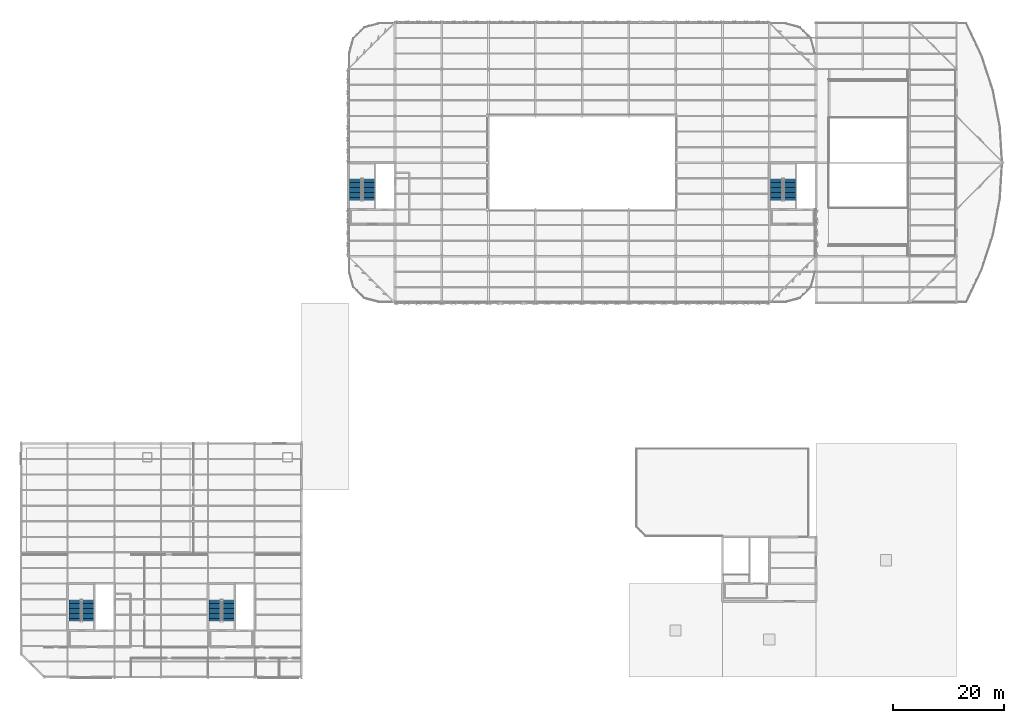
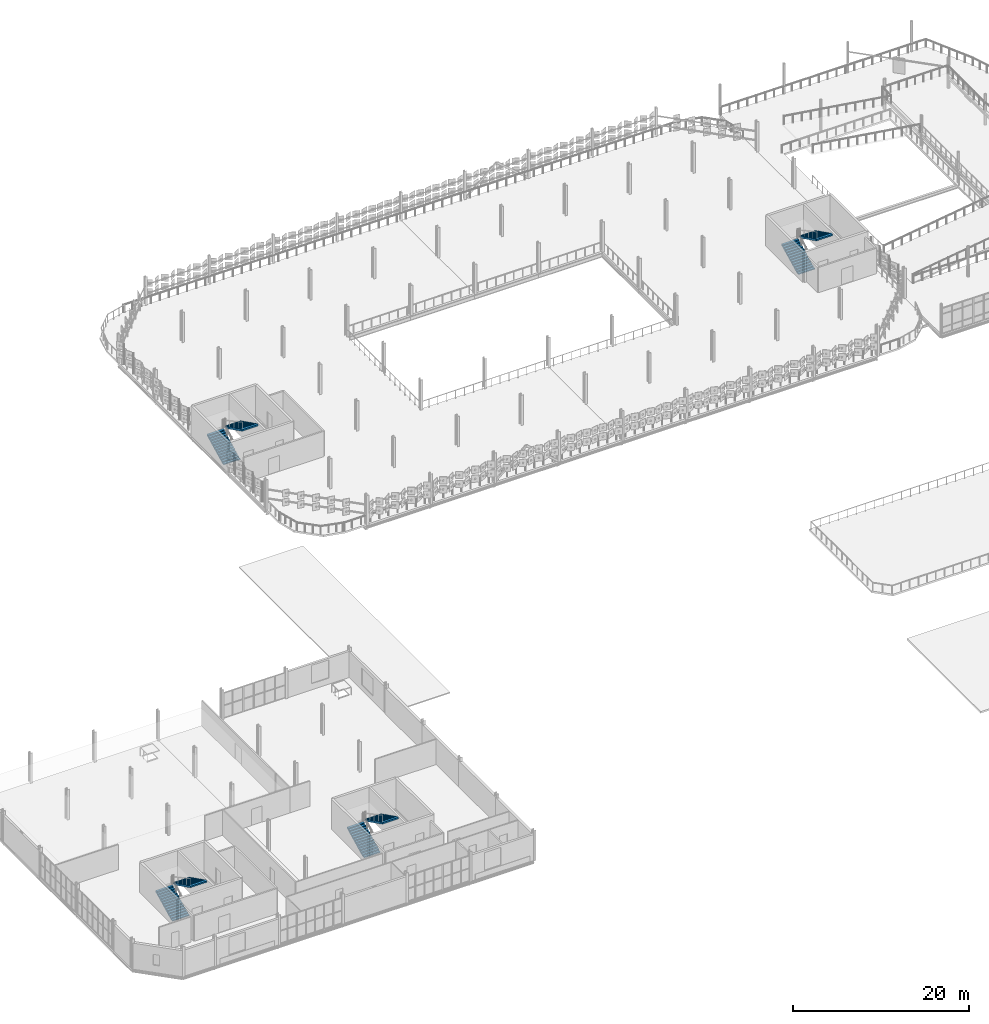
# One storey, part 51 of 69: 8 stair flights, 4 elements without a shape of their own.
"""IFC4 building model written with IfcOpenShell, lengths in metres."""

from ifc_helpers import new_model, si_unit, direction, frame, origin, place, context, subcontext, project, spatial, polyline, outline, extrude, material, type_object, element, aggregate, save


model = new_model("IFC4")

# Units and contexts
model_context = context("Model", 3, precision=1e-05, world=origin(), true_north=direction((0.0, 1.0)))
body_context = subcontext(model_context, "Body", "Model", "MODEL_VIEW")
ifc_project = project(units=[si_unit("LENGTHUNIT", "METRE"), si_unit("AREAUNIT", "SQUARE_METRE"), si_unit("VOLUMEUNIT", "CUBIC_METRE"), si_unit("PLANEANGLEUNIT", "RADIAN"), si_unit("MASSUNIT", "GRAM", prefix="KILO")], contexts=[model_context])

# Site, building, storey
site_placement = place(None, origin())
site = spatial("IfcSite", under=ifc_project, at=site_placement, CompositionType="ELEMENT")
building_placement = place(site_placement, origin())
building = spatial("IfcBuilding", under=site, at=building_placement, Name="Qalvenar Corner Mobility Hub", CompositionType="ELEMENT")
storey_placement = place(building_placement, frame((0.0, 0.0, 13.199951171875)))
storey = spatial("IfcBuildingStorey", under=building, at=storey_placement, Name="L03", CompositionType="ELEMENT", Elevation=13.199951171875)

# Stair, stair flights
ifc_material = material(Name="Concrete C35/45", Category="concrete")
stair_type_1 = type_object("IfcStairType", Name="STR-200-H42", PredefinedType="HALF_TURN_STAIR", material=ifc_material)
stair_1_placement = place(storey_placement, origin())
stair_1 = element("IfcStair", 1, at=stair_1_placement, inside=storey, type_object=stair_type_1, Name="Exit Stair ST2 L03-L04", PredefinedType="HALF_TURN_STAIR")
stair_flight_type_1 = type_object("IfcStairFlightType", Name="SFL-200-R14", PredefinedType="STRAIGHT", material=ifc_material)
stair_flight_1_placement = place(storey_placement, frame((34.89501953125, 9.949951171875, 0.0), z_axis=(0.0, 0.0, 1.0), x_axis=(0.0, 1.0, 0.0)))
stair_flight_1 = element("IfcStairFlight", 2, at=stair_flight_1_placement, type_object=stair_flight_type_1, Name="ST2 flight 1", NumberOfRisers=14, NumberOfTreads=13, PredefinedType="STRAIGHT", RiserHeight=0.15, TreadLength=0.3, context=body_context, shape_type="SweptSolid", body=[
    extrude(outline(polyline([(0.0, 0.0), (0.0, 0.14990234375), (0.300048828125, 0.14990234375), (0.300048828125, 0.300048828125), (0.60009765625, 0.300048828125), (0.60009765625, 0.449951171875), (0.89990234375, 0.449951171875), (0.89990234375, 0.60009765625), (1.199951171875, 0.60009765625), (1.199951171875, 0.75), (1.5, 0.75), (1.5, 0.89990234375), (1.800048828125, 0.89990234375), (1.800048828125, 1.050048828125), (2.10009765625, 1.050048828125), (2.10009765625, 1.199951171875), (2.39990234375, 1.199951171875), (2.39990234375, 1.35009765625), (2.699951171875, 1.35009765625), (2.699951171875, 1.5), (3.0, 1.5), (3.0, 1.64990234375), (3.300048828125, 1.64990234375), (3.300048828125, 1.800048828125), (3.60009765625, 1.800048828125), (3.60009765625, 1.949951171875), (3.89990234375, 1.949951171875), (3.89990234375, 2.10009765625), (3.89990234375, 1.748779296875), (0.40234375, 0.0), (0.0, 0.0)])), frame((0.0, 1.074951171875, 0.0), z_axis=(0.0, -1.0, 0.0), x_axis=(1.0, 0.0, 0.0)), (0.0, 0.0, 1.0), 2.14990234375),
])
stair_flight_2_placement = place(storey_placement, frame((37.284912109375, 13.85009765625, 2.10009765625), z_axis=(0.0, 0.0, 1.0), x_axis=(0.0, -1.0, 0.0)))
stair_flight_2 = element("IfcStairFlight", 3, at=stair_flight_2_placement, type_object=stair_flight_type_1, Name="ST2 flight 2", NumberOfRisers=14, NumberOfTreads=13, PredefinedType="STRAIGHT", RiserHeight=0.15, TreadLength=0.3, context=body_context, shape_type="SweptSolid", body=[
    extrude(outline(polyline([(0.0, 0.0), (0.0, 0.14990234375), (0.300048828125, 0.14990234375), (0.300048828125, 0.300048828125), (0.60009765625, 0.300048828125), (0.60009765625, 0.449951171875), (0.89990234375, 0.449951171875), (0.89990234375, 0.60009765625), (1.199951171875, 0.60009765625), (1.199951171875, 0.75), (1.5, 0.75), (1.5, 0.89990234375), (1.800048828125, 0.89990234375), (1.800048828125, 1.050048828125), (2.10009765625, 1.050048828125), (2.10009765625, 1.199951171875), (2.39990234375, 1.199951171875), (2.39990234375, 1.35009765625), (2.699951171875, 1.35009765625), (2.699951171875, 1.5), (3.0, 1.5), (3.0, 1.64990234375), (3.300048828125, 1.64990234375), (3.300048828125, 1.800048828125), (3.60009765625, 1.800048828125), (3.60009765625, 1.949951171875), (3.89990234375, 1.949951171875), (3.89990234375, 2.10009765625), (3.89990234375, 1.748779296875), (0.40234375, 0.0), (0.0, 0.0)])), frame((0.0, 1.074951171875, 0.0), z_axis=(0.0, -1.0, 0.0), x_axis=(1.0, 0.0, 0.0)), (0.0, 0.0, 1.0), 2.14990234375),
])
aggregate(stair_1, [stair_flight_1, stair_flight_2])

stair_2_placement = place(storey_placement, origin())
stair_2 = element("IfcStair", 4, at=stair_2_placement, inside=storey, type_object=stair_type_1, Name="Exit Stair ST3 L03-L04", PredefinedType="HALF_TURN_STAIR")
stair_flight_3_placement = place(storey_placement, frame((60.094970703125, 85.550048828125, 0.0), z_axis=(0.0, 0.0, 1.0), x_axis=(0.0, 1.0, 0.0)))
stair_flight_3 = element("IfcStairFlight", 5, at=stair_flight_3_placement, type_object=stair_flight_type_1, Name="ST3 flight 1", NumberOfRisers=14, NumberOfTreads=13, PredefinedType="STRAIGHT", RiserHeight=0.15, TreadLength=0.3, context=body_context, shape_type="SweptSolid", body=[
    extrude(outline(polyline([(0.0, 0.0), (0.0, 0.14990234375), (0.300048828125, 0.14990234375), (0.300048828125, 0.300048828125), (0.60009765625, 0.300048828125), (0.60009765625, 0.449951171875), (0.89990234375, 0.449951171875), (0.89990234375, 0.60009765625), (1.199951171875, 0.60009765625), (1.199951171875, 0.75), (1.5, 0.75), (1.5, 0.89990234375), (1.800048828125, 0.89990234375), (1.800048828125, 1.050048828125), (2.10009765625, 1.050048828125), (2.10009765625, 1.199951171875), (2.39990234375, 1.199951171875), (2.39990234375, 1.35009765625), (2.699951171875, 1.35009765625), (2.699951171875, 1.5), (3.0, 1.5), (3.0, 1.64990234375), (3.300048828125, 1.64990234375), (3.300048828125, 1.800048828125), (3.60009765625, 1.800048828125), (3.60009765625, 1.949951171875), (3.89990234375, 1.949951171875), (3.89990234375, 2.10009765625), (3.89990234375, 1.748779296875), (0.40234375, 0.0), (0.0, 0.0)])), frame((0.0, 1.074951171875, 0.0), z_axis=(0.0, -1.0, 0.0), x_axis=(1.0, 0.0, 0.0)), (0.0, 0.0, 1.0), 2.14990234375),
])
stair_flight_4_placement = place(storey_placement, frame((62.485107421875, 89.449951171875, 2.10009765625), z_axis=(0.0, 0.0, 1.0), x_axis=(0.0, -1.0, 0.0)))
stair_flight_4 = element("IfcStairFlight", 6, at=stair_flight_4_placement, type_object=stair_flight_type_1, Name="ST3 flight 2", NumberOfRisers=14, NumberOfTreads=13, PredefinedType="STRAIGHT", RiserHeight=0.15, TreadLength=0.3, context=body_context, shape_type="SweptSolid", body=[
    extrude(outline(polyline([(0.0, 0.0), (0.0, 0.14990234375), (0.300048828125, 0.14990234375), (0.300048828125, 0.300048828125), (0.60009765625, 0.300048828125), (0.60009765625, 0.449951171875), (0.89990234375, 0.449951171875), (0.89990234375, 0.60009765625), (1.199951171875, 0.60009765625), (1.199951171875, 0.75), (1.5, 0.75), (1.5, 0.89990234375), (1.800048828125, 0.89990234375), (1.800048828125, 1.050048828125), (2.10009765625, 1.050048828125), (2.10009765625, 1.199951171875), (2.39990234375, 1.199951171875), (2.39990234375, 1.35009765625), (2.699951171875, 1.35009765625), (2.699951171875, 1.5), (3.0, 1.5), (3.0, 1.64990234375), (3.300048828125, 1.64990234375), (3.300048828125, 1.800048828125), (3.60009765625, 1.800048828125), (3.60009765625, 1.949951171875), (3.89990234375, 1.949951171875), (3.89990234375, 2.10009765625), (3.89990234375, 1.748779296875), (0.40234375, 0.0), (0.0, 0.0)])), frame((0.0, 1.074951171875, 0.0), z_axis=(0.0, -1.0, 0.0), x_axis=(1.0, 0.0, 0.0)), (0.0, 0.0, 1.0), 2.14990234375),
])
aggregate(stair_2, [stair_flight_3, stair_flight_4])

stair_3_placement = place(storey_placement, origin())
stair_3 = element("IfcStair", 7, at=stair_3_placement, inside=storey, type_object=stair_type_1, Name="Exit Stair ST4 L03-L04", PredefinedType="HALF_TURN_STAIR")
stair_flight_5_placement = place(storey_placement, frame((135.695068359375, 85.550048828125, 0.0), z_axis=(0.0, 0.0, 1.0), x_axis=(0.0, 1.0, 0.0)))
stair_flight_5 = element("IfcStairFlight", 8, at=stair_flight_5_placement, type_object=stair_flight_type_1, Name="ST4 flight 1", NumberOfRisers=14, NumberOfTreads=13, PredefinedType="STRAIGHT", RiserHeight=0.15, TreadLength=0.3, context=body_context, shape_type="SweptSolid", body=[
    extrude(outline(polyline([(0.0, 0.0), (0.0, 0.14990234375), (0.300048828125, 0.14990234375), (0.300048828125, 0.300048828125), (0.60009765625, 0.300048828125), (0.60009765625, 0.449951171875), (0.89990234375, 0.449951171875), (0.89990234375, 0.60009765625), (1.199951171875, 0.60009765625), (1.199951171875, 0.75), (1.5, 0.75), (1.5, 0.89990234375), (1.800048828125, 0.89990234375), (1.800048828125, 1.050048828125), (2.10009765625, 1.050048828125), (2.10009765625, 1.199951171875), (2.39990234375, 1.199951171875), (2.39990234375, 1.35009765625), (2.699951171875, 1.35009765625), (2.699951171875, 1.5), (3.0, 1.5), (3.0, 1.64990234375), (3.300048828125, 1.64990234375), (3.300048828125, 1.800048828125), (3.60009765625, 1.800048828125), (3.60009765625, 1.949951171875), (3.89990234375, 1.949951171875), (3.89990234375, 2.10009765625), (3.89990234375, 1.748779296875), (0.40234375, 0.0), (0.0, 0.0)])), frame((0.0, 1.074951171875, 0.0), z_axis=(0.0, -1.0, 0.0), x_axis=(1.0, 0.0, 0.0)), (0.0, 0.0, 1.0), 2.14990234375),
])
stair_flight_6_placement = place(storey_placement, frame((138.0849609375, 89.449951171875, 2.10009765625), z_axis=(0.0, 0.0, 1.0), x_axis=(0.0, -1.0, 0.0)))
stair_flight_6 = element("IfcStairFlight", 9, at=stair_flight_6_placement, type_object=stair_flight_type_1, Name="ST4 flight 2", NumberOfRisers=14, NumberOfTreads=13, PredefinedType="STRAIGHT", RiserHeight=0.15, TreadLength=0.3, context=body_context, shape_type="SweptSolid", body=[
    extrude(outline(polyline([(0.0, 0.0), (0.0, 0.14990234375), (0.300048828125, 0.14990234375), (0.300048828125, 0.300048828125), (0.60009765625, 0.300048828125), (0.60009765625, 0.449951171875), (0.89990234375, 0.449951171875), (0.89990234375, 0.60009765625), (1.199951171875, 0.60009765625), (1.199951171875, 0.75), (1.5, 0.75), (1.5, 0.89990234375), (1.800048828125, 0.89990234375), (1.800048828125, 1.050048828125), (2.10009765625, 1.050048828125), (2.10009765625, 1.199951171875), (2.39990234375, 1.199951171875), (2.39990234375, 1.35009765625), (2.699951171875, 1.35009765625), (2.699951171875, 1.5), (3.0, 1.5), (3.0, 1.64990234375), (3.300048828125, 1.64990234375), (3.300048828125, 1.800048828125), (3.60009765625, 1.800048828125), (3.60009765625, 1.949951171875), (3.89990234375, 1.949951171875), (3.89990234375, 2.10009765625), (3.89990234375, 1.748779296875), (0.40234375, 0.0), (0.0, 0.0)])), frame((0.0, 1.074951171875, 0.0), z_axis=(0.0, -1.0, 0.0), x_axis=(1.0, 0.0, 0.0)), (0.0, 0.0, 1.0), 2.14990234375),
])
aggregate(stair_3, [stair_flight_5, stair_flight_6])

stair_type_2 = type_object("IfcStairType", Name="STR-220-H42", PredefinedType="HALF_TURN_STAIR", material=ifc_material)
stair_4_placement = place(storey_placement, origin())
stair_4 = element("IfcStair", 10, at=stair_4_placement, inside=storey, type_object=stair_type_2, Name="Exit Stair ST1 L03-L04", PredefinedType="HALF_TURN_STAIR")
stair_flight_type_2 = type_object("IfcStairFlightType", Name="SFL-220-R14", PredefinedType="STRAIGHT", material=ifc_material)
stair_flight_7_placement = place(storey_placement, frame((9.719970703125, 9.949951171875, 0.0), z_axis=(0.0, 0.0, 1.0), x_axis=(0.0, 1.0, 0.0)))
stair_flight_7 = element("IfcStairFlight", 11, at=stair_flight_7_placement, type_object=stair_flight_type_2, Name="ST1 flight 1", NumberOfRisers=14, NumberOfTreads=13, PredefinedType="STRAIGHT", RiserHeight=0.15, TreadLength=0.3, context=body_context, shape_type="SweptSolid", body=[
    extrude(outline(polyline([(0.0, 0.0), (0.0, 0.14990234375), (0.300048828125, 0.14990234375), (0.300048828125, 0.300048828125), (0.60009765625, 0.300048828125), (0.60009765625, 0.449951171875), (0.89990234375, 0.449951171875), (0.89990234375, 0.60009765625), (1.199951171875, 0.60009765625), (1.199951171875, 0.75), (1.5, 0.75), (1.5, 0.89990234375), (1.800048828125, 0.89990234375), (1.800048828125, 1.050048828125), (2.10009765625, 1.050048828125), (2.10009765625, 1.199951171875), (2.39990234375, 1.199951171875), (2.39990234375, 1.35009765625), (2.699951171875, 1.35009765625), (2.699951171875, 1.5), (3.0, 1.5), (3.0, 1.64990234375), (3.300048828125, 1.64990234375), (3.300048828125, 1.800048828125), (3.60009765625, 1.800048828125), (3.60009765625, 1.949951171875), (3.89990234375, 1.949951171875), (3.89990234375, 2.10009765625), (3.89990234375, 1.748779296875), (0.40234375, 0.0), (0.0, 0.0)])), frame((0.0, 1.10009765625, 0.0), z_axis=(0.0, -1.0, 0.0), x_axis=(1.0, 0.0, 0.0)), (0.0, 0.0, 1.0), 2.199951171875),
])
stair_flight_8_placement = place(storey_placement, frame((12.06005859375, 13.85009765625, 2.10009765625), z_axis=(0.0, 0.0, 1.0), x_axis=(0.0, -1.0, 0.0)))
stair_flight_8 = element("IfcStairFlight", 12, at=stair_flight_8_placement, type_object=stair_flight_type_2, Name="ST1 flight 2", NumberOfRisers=14, NumberOfTreads=13, PredefinedType="STRAIGHT", RiserHeight=0.15, TreadLength=0.3, context=body_context, shape_type="SweptSolid", body=[
    extrude(outline(polyline([(0.0, 0.0), (0.0, 0.14990234375), (0.300048828125, 0.14990234375), (0.300048828125, 0.300048828125), (0.60009765625, 0.300048828125), (0.60009765625, 0.449951171875), (0.89990234375, 0.449951171875), (0.89990234375, 0.60009765625), (1.199951171875, 0.60009765625), (1.199951171875, 0.75), (1.5, 0.75), (1.5, 0.89990234375), (1.800048828125, 0.89990234375), (1.800048828125, 1.050048828125), (2.10009765625, 1.050048828125), (2.10009765625, 1.199951171875), (2.39990234375, 1.199951171875), (2.39990234375, 1.35009765625), (2.699951171875, 1.35009765625), (2.699951171875, 1.5), (3.0, 1.5), (3.0, 1.64990234375), (3.300048828125, 1.64990234375), (3.300048828125, 1.800048828125), (3.60009765625, 1.800048828125), (3.60009765625, 1.949951171875), (3.89990234375, 1.949951171875), (3.89990234375, 2.10009765625), (3.89990234375, 1.748779296875), (0.40234375, 0.0), (0.0, 0.0)])), frame((0.0, 1.10009765625, 0.0), z_axis=(0.0, -1.0, 0.0), x_axis=(1.0, 0.0, 0.0)), (0.0, 0.0, 1.0), 2.199951171875),
])
aggregate(stair_4, [stair_flight_7, stair_flight_8])

save(model, "model.ifc")
